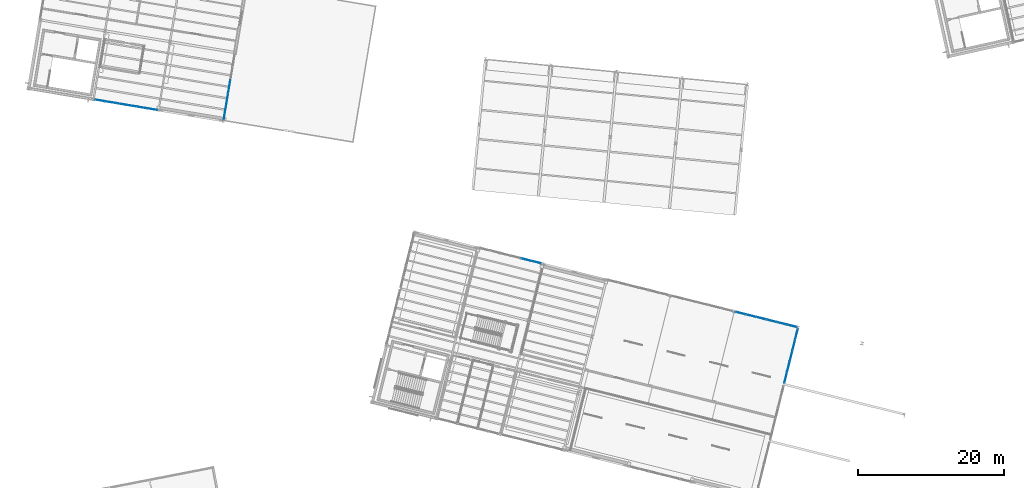
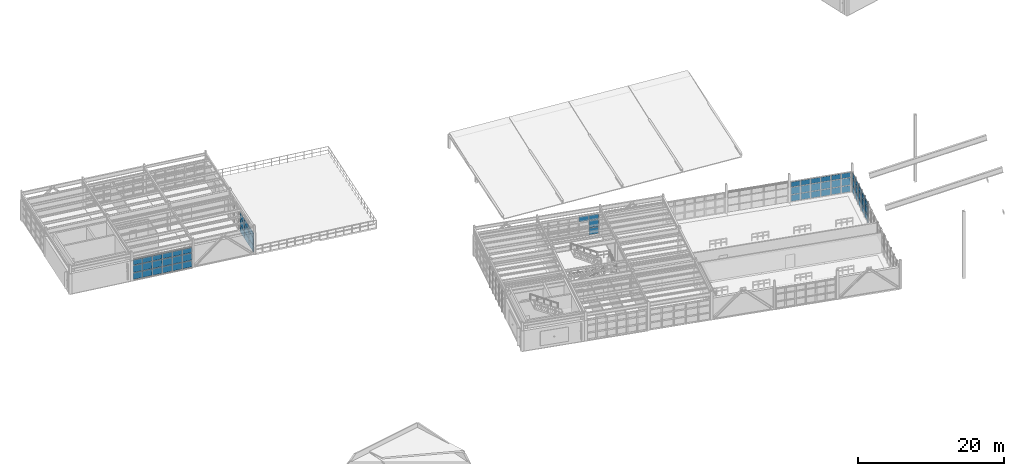
# One storey, part 36 of 59: 64 plates, 5 elements without a shape of their own.
"""IFC4 building model written with IfcOpenShell, lengths in metres."""

from ifc_helpers import new_model, si_unit, direction, frame, origin, origin_2d, place, context, subcontext, project, spatial, rectangle, extrude, material, layer, layer_set, type_object, element, aggregate, save


model = new_model("IFC4")

# Units and contexts
model_context = context("Model", 3, precision=1e-05, world=origin(), true_north=direction((0.0, 1.0)))
body_context = subcontext(model_context, "Body", "Model", "MODEL_VIEW")
ifc_project = project(units=[si_unit("LENGTHUNIT", "METRE"), si_unit("AREAUNIT", "SQUARE_METRE"), si_unit("VOLUMEUNIT", "CUBIC_METRE"), si_unit("PLANEANGLEUNIT", "RADIAN"), si_unit("MASSUNIT", "GRAM", prefix="KILO")], contexts=[model_context])

# Site, building, storey
site_placement = place(None, origin())
site = spatial("IfcSite", under=ifc_project, at=site_placement, CompositionType="ELEMENT")
building_placement = place(site_placement, origin())
building = spatial("IfcBuilding", under=site, at=building_placement, Name="Vireo Bluff Cable Station", CompositionType="ELEMENT")
storey_placement = place(building_placement, frame((0.0, 0.0, 14.39990234375)))
storey = spatial("IfcBuildingStorey", under=building, at=storey_placement, Name="L03", CompositionType="ELEMENT", Elevation=14.39990234375)

# Curtain wall, plates
ifc_material_1 = material(Name="Anodized Aluminium 6063-T6", Category="aluminium")
ifc_layer_1 = layer(ifc_material_1, 0.159912109375, Name="Anodized Aluminium 6063-T6")
ifc_layer_set_1 = layer_set([ifc_layer_1], Name="Anodized Aluminium 6063-T6")
curtain_wall_type_1 = type_object("IfcCurtainWallType", Name="CW-STICK-1750", PredefinedType="USERDEFINED", material=ifc_layer_set_1)
curtain_wall_1_placement = place(storey_placement, origin())
curtain_wall_1 = element("IfcCurtainWall", 1, at=curtain_wall_1_placement, inside=storey, type_object=curtain_wall_type_1, Name="V4 L03 east curtain wall CW-110", ObjectType="STICK CURTAIN WALL", PredefinedType="USERDEFINED")
ifc_material_2 = material(Name="Laminated Low-E Insulated Glass", Category="glass")
ifc_layer_2 = layer(ifc_material_2, 0.028076171875, Name="Laminated Low-E Insulated Glass")
ifc_layer_set_2 = layer_set([ifc_layer_2], Name="Laminated Low-E Insulated Glass")
plate_type_1 = type_object("IfcPlateType", Name="CWP-28-1", PredefinedType="CURTAIN_PANEL", material=ifc_layer_set_2)
plate_1_placement = place(storey_placement, frame((34.481689453125, 81.09814453125, 0.06005859375), z_axis=(0.0, 0.0, 1.0), x_axis=(-0.165047600369, -0.986285602456, 0.0)))
plate_1 = element("IfcPlate", 2, at=plate_1_placement, type_object=plate_type_1, Name="CW-110 panel 3.1", PredefinedType="CURTAIN_PANEL", context=body_context, shape_type="SweptSolid", body=[
    extrude(rectangle(XDim=1.77783203125, YDim=0.028076171875, at=origin_2d()), origin(), (0.0, 0.0, 1.0), 1.10009765625),
])
plate_2_placement = place(storey_placement, frame((34.481689453125, 81.09814453125, 1.22021484375), z_axis=(0.0, 0.0, 1.0), x_axis=(-0.165047600369, -0.986285602456, 0.0)))
plate_2 = element("IfcPlate", 3, at=plate_2_placement, type_object=plate_type_1, Name="CW-110 panel 3.2", PredefinedType="CURTAIN_PANEL", context=body_context, shape_type="SweptSolid", body=[
    extrude(rectangle(XDim=1.77783203125, YDim=0.028076171875, at=origin_2d()), origin(), (0.0, 0.0, 1.0), 1.197998046875),
])
plate_3_placement = place(storey_placement, frame((34.481689453125, 81.09814453125, 2.47802734375), z_axis=(0.0, 0.0, 1.0), x_axis=(-0.165047600369, -0.986285602456, 0.0)))
plate_3 = element("IfcPlate", 4, at=plate_3_placement, type_object=plate_type_1, Name="CW-110 panel 3.3", PredefinedType="CURTAIN_PANEL", context=body_context, shape_type="SweptSolid", body=[
    extrude(rectangle(XDim=1.77783203125, YDim=0.028076171875, at=origin_2d()), origin(), (0.0, 0.0, 1.0), 0.862060546875),
])
plate_4_placement = place(storey_placement, frame((34.17822265625, 79.285400390625, 0.06005859375), z_axis=(0.0, 0.0, 1.0), x_axis=(-0.165047600369, -0.986285602456, 0.0)))
plate_4 = element("IfcPlate", 5, at=plate_4_placement, type_object=plate_type_1, Name="CW-110 panel 4.1", PredefinedType="CURTAIN_PANEL", context=body_context, shape_type="SweptSolid", body=[
    extrude(rectangle(XDim=1.77783203125, YDim=0.028076171875, at=origin_2d()), origin(), (0.0, 0.0, 1.0), 1.10009765625),
])
plate_5_placement = place(storey_placement, frame((34.17822265625, 79.285400390625, 1.22021484375), z_axis=(0.0, 0.0, 1.0), x_axis=(-0.165047600369, -0.986285602456, 0.0)))
plate_5 = element("IfcPlate", 6, at=plate_5_placement, type_object=plate_type_1, Name="CW-110 panel 4.2", PredefinedType="CURTAIN_PANEL", context=body_context, shape_type="SweptSolid", body=[
    extrude(rectangle(XDim=1.77783203125, YDim=0.028076171875, at=origin_2d()), origin(), (0.0, 0.0, 1.0), 1.197998046875),
])
plate_6_placement = place(storey_placement, frame((34.17822265625, 79.285400390625, 2.47802734375), z_axis=(0.0, 0.0, 1.0), x_axis=(-0.165047600369, -0.986285602456, 0.0)))
plate_6 = element("IfcPlate", 7, at=plate_6_placement, type_object=plate_type_1, Name="CW-110 panel 4.3", PredefinedType="CURTAIN_PANEL", context=body_context, shape_type="SweptSolid", body=[
    extrude(rectangle(XDim=1.77783203125, YDim=0.028076171875, at=origin_2d()), origin(), (0.0, 0.0, 1.0), 0.862060546875),
])
plate_7_placement = place(storey_placement, frame((33.87744140625, 77.487548828125, 0.06005859375), z_axis=(0.0, 0.0, 1.0), x_axis=(-0.165047600369, -0.986285602456, 0.0)))
plate_7 = element("IfcPlate", 8, at=plate_7_placement, type_object=plate_type_1, Name="CW-110 panel 5.1", PredefinedType="CURTAIN_PANEL", context=body_context, shape_type="SweptSolid", body=[
    extrude(rectangle(XDim=1.747802734375, YDim=0.028076171875, at=origin_2d()), origin(), (0.0, 0.0, 1.0), 1.10009765625),
])
plate_8_placement = place(storey_placement, frame((33.87744140625, 77.487548828125, 1.22021484375), z_axis=(0.0, 0.0, 1.0), x_axis=(-0.165047600369, -0.986285602456, 0.0)))
plate_8 = element("IfcPlate", 9, at=plate_8_placement, type_object=plate_type_1, Name="CW-110 panel 5.2", PredefinedType="CURTAIN_PANEL", context=body_context, shape_type="SweptSolid", body=[
    extrude(rectangle(XDim=1.747802734375, YDim=0.028076171875, at=origin_2d()), origin(), (0.0, 0.0, 1.0), 1.197998046875),
])
plate_9_placement = place(storey_placement, frame((33.87744140625, 77.487548828125, 2.47802734375), z_axis=(0.0, 0.0, 1.0), x_axis=(-0.165047600369, -0.986285602456, 0.0)))
plate_9 = element("IfcPlate", 10, at=plate_9_placement, type_object=plate_type_1, Name="CW-110 panel 5.3", PredefinedType="CURTAIN_PANEL", context=body_context, shape_type="SweptSolid", body=[
    extrude(rectangle(XDim=1.747802734375, YDim=0.028076171875, at=origin_2d()), origin(), (0.0, 0.0, 1.0), 0.862060546875),
])
aggregate(curtain_wall_1, [plate_1, plate_2, plate_3, plate_4, plate_5, plate_6, plate_7, plate_8, plate_9])

ifc_layer_3 = layer(ifc_material_1, 0.179931640625, Name="Anodized Aluminium 6063-T6")
ifc_layer_set_3 = layer_set([ifc_layer_3], Name="Anodized Aluminium 6063-T6")
curtain_wall_type_2 = type_object("IfcCurtainWallType", Name="CW-UNIT-1500", PredefinedType="USERDEFINED", material=ifc_layer_set_3)
curtain_wall_2_placement = place(storey_placement, origin())
curtain_wall_2 = element("IfcCurtainWall", 11, at=curtain_wall_2_placement, inside=storey, type_object=curtain_wall_type_2, Name="V4 L03 south curtain wall CW-106", ObjectType="UNITISED CURTAIN WALL", PredefinedType="USERDEFINED")
ifc_layer_4 = layer(ifc_material_2, 0.031982421875, Name="Laminated Low-E Insulated Glass")
ifc_layer_set_4 = layer_set([ifc_layer_4], Name="Laminated Low-E Insulated Glass")
plate_type_2 = type_object("IfcPlateType", Name="CWP-32-2", PredefinedType="CURTAIN_PANEL", material=ifc_layer_set_4)
plate_10_placement = place(storey_placement, frame((23.9853515625, 78.038818359375, 0.06005859375), z_axis=(0.0, 0.0, 1.0), x_axis=(-0.986285593132, 0.165047656091, 0.0)))
plate_10 = element("IfcPlate", 12, at=plate_10_placement, type_object=plate_type_2, Name="CW-106 panel 1.1", PredefinedType="CURTAIN_PANEL", context=body_context, shape_type="SweptSolid", body=[
    extrude(rectangle(XDim=1.366943359375, YDim=0.031982421875, at=origin_2d()), origin(), (0.0, 0.0, 1.0), 1.10009765625),
])
plate_11_placement = place(storey_placement, frame((23.9853515625, 78.038818359375, 1.22021484375), z_axis=(0.0, 0.0, 1.0), x_axis=(-0.986285593132, 0.165047656091, 0.0)))
plate_11 = element("IfcPlate", 13, at=plate_11_placement, type_object=plate_type_2, Name="CW-106 panel 1.2", PredefinedType="CURTAIN_PANEL", context=body_context, shape_type="SweptSolid", body=[
    extrude(rectangle(XDim=1.366943359375, YDim=0.031982421875, at=origin_2d()), origin(), (0.0, 0.0, 1.0), 1.197998046875),
])
plate_12_placement = place(storey_placement, frame((23.9853515625, 78.038818359375, 2.47802734375), z_axis=(0.0, 0.0, 1.0), x_axis=(-0.986285593132, 0.165047656091, 0.0)))
plate_12 = element("IfcPlate", 14, at=plate_12_placement, type_object=plate_type_2, Name="CW-106 panel 1.3", PredefinedType="CURTAIN_PANEL", context=body_context, shape_type="SweptSolid", body=[
    extrude(rectangle(XDim=1.366943359375, YDim=0.031982421875, at=origin_2d()), origin(), (0.0, 0.0, 1.0), 0.862060546875),
])
plate_13_placement = place(storey_placement, frame((22.563232421875, 78.276611328125, 0.06005859375), z_axis=(0.0, 0.0, 1.0), x_axis=(-0.986285593132, 0.165047656091, 0.0)))
plate_13 = element("IfcPlate", 15, at=plate_13_placement, type_object=plate_type_2, Name="CW-106 panel 2.1", PredefinedType="CURTAIN_PANEL", context=body_context, shape_type="SweptSolid", body=[
    extrude(rectangle(XDim=1.39697265625, YDim=0.031982421875, at=origin_2d()), origin(), (0.0, 0.0, 1.0), 1.10009765625),
])
plate_14_placement = place(storey_placement, frame((22.563232421875, 78.276611328125, 1.22021484375), z_axis=(0.0, 0.0, 1.0), x_axis=(-0.986285593132, 0.165047656091, 0.0)))
plate_14 = element("IfcPlate", 16, at=plate_14_placement, type_object=plate_type_2, Name="CW-106 panel 2.2", PredefinedType="CURTAIN_PANEL", context=body_context, shape_type="SweptSolid", body=[
    extrude(rectangle(XDim=1.39697265625, YDim=0.031982421875, at=origin_2d()), origin(), (0.0, 0.0, 1.0), 1.197998046875),
])
plate_15_placement = place(storey_placement, frame((22.563232421875, 78.276611328125, 2.47802734375), z_axis=(0.0, 0.0, 1.0), x_axis=(-0.986285593132, 0.165047656091, 0.0)))
plate_15 = element("IfcPlate", 17, at=plate_15_placement, type_object=plate_type_2, Name="CW-106 panel 2.3", PredefinedType="CURTAIN_PANEL", context=body_context, shape_type="SweptSolid", body=[
    extrude(rectangle(XDim=1.39697265625, YDim=0.031982421875, at=origin_2d()), origin(), (0.0, 0.0, 1.0), 0.862060546875),
])
plate_16_placement = place(storey_placement, frame((21.126220703125, 78.51708984375, 0.06005859375), z_axis=(0.0, 0.0, 1.0), x_axis=(-0.986285593132, 0.165047656091, 0.0)))
plate_16 = element("IfcPlate", 18, at=plate_16_placement, type_object=plate_type_2, Name="CW-106 panel 3.1", PredefinedType="CURTAIN_PANEL", context=body_context, shape_type="SweptSolid", body=[
    extrude(rectangle(XDim=1.39697265625, YDim=0.031982421875, at=origin_2d()), origin(), (0.0, 0.0, 1.0), 1.10009765625),
])
plate_17_placement = place(storey_placement, frame((21.126220703125, 78.51708984375, 1.22021484375), z_axis=(0.0, 0.0, 1.0), x_axis=(-0.986285593132, 0.165047656091, 0.0)))
plate_17 = element("IfcPlate", 19, at=plate_17_placement, type_object=plate_type_2, Name="CW-106 panel 3.2", PredefinedType="CURTAIN_PANEL", context=body_context, shape_type="SweptSolid", body=[
    extrude(rectangle(XDim=1.39697265625, YDim=0.031982421875, at=origin_2d()), origin(), (0.0, 0.0, 1.0), 1.197998046875),
])
plate_18_placement = place(storey_placement, frame((21.126220703125, 78.51708984375, 2.47802734375), z_axis=(0.0, 0.0, 1.0), x_axis=(-0.986285593132, 0.165047656091, 0.0)))
plate_18 = element("IfcPlate", 20, at=plate_18_placement, type_object=plate_type_2, Name="CW-106 panel 3.3", PredefinedType="CURTAIN_PANEL", context=body_context, shape_type="SweptSolid", body=[
    extrude(rectangle(XDim=1.39697265625, YDim=0.031982421875, at=origin_2d()), origin(), (0.0, 0.0, 1.0), 0.862060546875),
])
plate_19_placement = place(storey_placement, frame((19.689208984375, 78.757568359375, 0.06005859375), z_axis=(0.0, 0.0, 1.0), x_axis=(-0.986285593132, 0.165047656091, 0.0)))
plate_19 = element("IfcPlate", 21, at=plate_19_placement, type_object=plate_type_2, Name="CW-106 panel 4.1", PredefinedType="CURTAIN_PANEL", context=body_context, shape_type="SweptSolid", body=[
    extrude(rectangle(XDim=1.39697265625, YDim=0.031982421875, at=origin_2d()), origin(), (0.0, 0.0, 1.0), 1.10009765625),
])
plate_20_placement = place(storey_placement, frame((19.689208984375, 78.757568359375, 1.22021484375), z_axis=(0.0, 0.0, 1.0), x_axis=(-0.986285593132, 0.165047656091, 0.0)))
plate_20 = element("IfcPlate", 22, at=plate_20_placement, type_object=plate_type_2, Name="CW-106 panel 4.2", PredefinedType="CURTAIN_PANEL", context=body_context, shape_type="SweptSolid", body=[
    extrude(rectangle(XDim=1.39697265625, YDim=0.031982421875, at=origin_2d()), origin(), (0.0, 0.0, 1.0), 1.197998046875),
])
plate_21_placement = place(storey_placement, frame((19.689208984375, 78.757568359375, 2.47802734375), z_axis=(0.0, 0.0, 1.0), x_axis=(-0.986285593132, 0.165047656091, 0.0)))
plate_21 = element("IfcPlate", 23, at=plate_21_placement, type_object=plate_type_2, Name="CW-106 panel 4.3", PredefinedType="CURTAIN_PANEL", context=body_context, shape_type="SweptSolid", body=[
    extrude(rectangle(XDim=1.39697265625, YDim=0.031982421875, at=origin_2d()), origin(), (0.0, 0.0, 1.0), 0.862060546875),
])
plate_22_placement = place(storey_placement, frame((18.252197265625, 78.998046875, 0.06005859375), z_axis=(0.0, 0.0, 1.0), x_axis=(-0.986285593132, 0.165047656091, 0.0)))
plate_22 = element("IfcPlate", 24, at=plate_22_placement, type_object=plate_type_2, Name="CW-106 panel 5.1", PredefinedType="CURTAIN_PANEL", context=body_context, shape_type="SweptSolid", body=[
    extrude(rectangle(XDim=1.39697265625, YDim=0.031982421875, at=origin_2d()), origin(), (0.0, 0.0, 1.0), 1.10009765625),
])
plate_23_placement = place(storey_placement, frame((18.252197265625, 78.998046875, 1.22021484375), z_axis=(0.0, 0.0, 1.0), x_axis=(-0.986285593132, 0.165047656091, 0.0)))
plate_23 = element("IfcPlate", 25, at=plate_23_placement, type_object=plate_type_2, Name="CW-106 panel 5.2", PredefinedType="CURTAIN_PANEL", context=body_context, shape_type="SweptSolid", body=[
    extrude(rectangle(XDim=1.39697265625, YDim=0.031982421875, at=origin_2d()), origin(), (0.0, 0.0, 1.0), 1.197998046875),
])
plate_24_placement = place(storey_placement, frame((18.252197265625, 78.998046875, 2.47802734375), z_axis=(0.0, 0.0, 1.0), x_axis=(-0.986285593132, 0.165047656091, 0.0)))
plate_24 = element("IfcPlate", 26, at=plate_24_placement, type_object=plate_type_2, Name="CW-106 panel 5.3", PredefinedType="CURTAIN_PANEL", context=body_context, shape_type="SweptSolid", body=[
    extrude(rectangle(XDim=1.39697265625, YDim=0.031982421875, at=origin_2d()), origin(), (0.0, 0.0, 1.0), 0.862060546875),
])
plate_25_placement = place(storey_placement, frame((16.830078125, 79.236083984375, 0.06005859375), z_axis=(0.0, 0.0, 1.0), x_axis=(-0.986285593132, 0.165047656091, 0.0)))
plate_25 = element("IfcPlate", 27, at=plate_25_placement, type_object=plate_type_2, Name="CW-106 panel 6.1", PredefinedType="CURTAIN_PANEL", context=body_context, shape_type="SweptSolid", body=[
    extrude(rectangle(XDim=1.366943359375, YDim=0.031982421875, at=origin_2d()), origin(), (0.0, 0.0, 1.0), 1.10009765625),
])
plate_26_placement = place(storey_placement, frame((16.830078125, 79.236083984375, 1.22021484375), z_axis=(0.0, 0.0, 1.0), x_axis=(-0.986285593132, 0.165047656091, 0.0)))
plate_26 = element("IfcPlate", 28, at=plate_26_placement, type_object=plate_type_2, Name="CW-106 panel 6.2", PredefinedType="CURTAIN_PANEL", context=body_context, shape_type="SweptSolid", body=[
    extrude(rectangle(XDim=1.366943359375, YDim=0.031982421875, at=origin_2d()), origin(), (0.0, 0.0, 1.0), 1.197998046875),
])
plate_27_placement = place(storey_placement, frame((16.830078125, 79.236083984375, 2.47802734375), z_axis=(0.0, 0.0, 1.0), x_axis=(-0.986285593132, 0.165047656091, 0.0)))
plate_27 = element("IfcPlate", 29, at=plate_27_placement, type_object=plate_type_2, Name="CW-106 panel 6.3", PredefinedType="CURTAIN_PANEL", context=body_context, shape_type="SweptSolid", body=[
    extrude(rectangle(XDim=1.366943359375, YDim=0.031982421875, at=origin_2d()), origin(), (0.0, 0.0, 1.0), 0.862060546875),
])
aggregate(curtain_wall_2, [plate_10, plate_11, plate_12, plate_13, plate_14, plate_15, plate_16, plate_17, plate_18, plate_19, plate_20, plate_21, plate_22, plate_23, plate_24, plate_25, plate_26, plate_27])

ifc_layer_5 = layer(ifc_material_1, 0.179931640625, Name="Anodized Aluminium 6063-T6")
ifc_layer_set_5 = layer_set([ifc_layer_5], Name="Anodized Aluminium 6063-T6")
curtain_wall_type_3 = type_object("IfcCurtainWallType", Name="CW-UNIT-1400", PredefinedType="USERDEFINED", material=ifc_layer_set_5)
curtain_wall_3_placement = place(storey_placement, origin())
curtain_wall_3 = element("IfcCurtainWall", 30, at=curtain_wall_3_placement, inside=storey, type_object=curtain_wall_type_3, Name="V1 L03 north curtain wall CW-027", ObjectType="UNITISED CURTAIN WALL", PredefinedType="USERDEFINED")
ifc_layer_6 = layer(ifc_material_2, 0.035888671875, Name="Laminated Low-E Insulated Glass")
ifc_layer_set_6 = layer_set([ifc_layer_6], Name="Laminated Low-E Insulated Glass")
plate_type_3 = type_object("IfcPlateType", Name="CWP-36-3", PredefinedType="CURTAIN_PANEL", material=ifc_layer_set_6)
plate_28_placement = place(storey_placement, frame((104.341552734375, 50.18310546875, 0.080078125), z_axis=(0.0, 0.0, 1.0), x_axis=(0.970295730477, -0.241921878749, 0.0)))
plate_28 = element("IfcPlate", 31, at=plate_28_placement, type_object=plate_type_3, Name="CW-027 panel 1.1", PredefinedType="CURTAIN_PANEL", context=body_context, shape_type="SweptSolid", body=[
    extrude(rectangle(XDim=1.32861328125, YDim=0.035888671875, at=origin_2d()), origin(), (0.0, 0.0, 1.0), 1.070068359375),
])
plate_29_placement = place(storey_placement, frame((104.341552734375, 50.18310546875, 1.22998046875), z_axis=(0.0, 0.0, 1.0), x_axis=(0.970295730477, -0.241921878749, 0.0)))
plate_29 = element("IfcPlate", 32, at=plate_29_placement, type_object=plate_type_3, Name="CW-027 panel 1.2", PredefinedType="CURTAIN_PANEL", context=body_context, shape_type="SweptSolid", body=[
    extrude(rectangle(XDim=1.32861328125, YDim=0.035888671875, at=origin_2d()), origin(), (0.0, 0.0, 1.0), 1.177978515625),
])
plate_30_placement = place(storey_placement, frame((104.341552734375, 50.18310546875, 2.488037109375), z_axis=(0.0, 0.0, 1.0), x_axis=(0.970295730477, -0.241921878749, 0.0)))
plate_30 = element("IfcPlate", 33, at=plate_30_placement, type_object=plate_type_3, Name="CW-027 panel 1.3", PredefinedType="CURTAIN_PANEL", context=body_context, shape_type="SweptSolid", body=[
    extrude(rectangle(XDim=1.32861328125, YDim=0.035888671875, at=origin_2d()), origin(), (0.0, 0.0, 1.0), 0.83203125),
])
plate_31_placement = place(storey_placement, frame((105.7275390625, 49.837646484375, 0.080078125), z_axis=(0.0, 0.0, 1.0), x_axis=(0.970295730477, -0.241921878749, 0.0)))
plate_31 = element("IfcPlate", 34, at=plate_31_placement, type_object=plate_type_3, Name="CW-027 panel 2.1", PredefinedType="CURTAIN_PANEL", context=body_context, shape_type="SweptSolid", body=[
    extrude(rectangle(XDim=1.368408203125, YDim=0.035888671875, at=origin_2d()), origin(), (0.0, 0.0, 1.0), 1.070068359375),
])
plate_32_placement = place(storey_placement, frame((105.7275390625, 49.837646484375, 1.22998046875), z_axis=(0.0, 0.0, 1.0), x_axis=(0.970295730477, -0.241921878749, 0.0)))
plate_32 = element("IfcPlate", 35, at=plate_32_placement, type_object=plate_type_3, Name="CW-027 panel 2.2", PredefinedType="CURTAIN_PANEL", context=body_context, shape_type="SweptSolid", body=[
    extrude(rectangle(XDim=1.368408203125, YDim=0.035888671875, at=origin_2d()), origin(), (0.0, 0.0, 1.0), 1.177978515625),
])
plate_33_placement = place(storey_placement, frame((105.7275390625, 49.837646484375, 2.488037109375), z_axis=(0.0, 0.0, 1.0), x_axis=(0.970295730477, -0.241921878749, 0.0)))
plate_33 = element("IfcPlate", 36, at=plate_33_placement, type_object=plate_type_3, Name="CW-027 panel 2.3", PredefinedType="CURTAIN_PANEL", context=body_context, shape_type="SweptSolid", body=[
    extrude(rectangle(XDim=1.368408203125, YDim=0.035888671875, at=origin_2d()), origin(), (0.0, 0.0, 1.0), 0.83203125),
])
plate_34_placement = place(storey_placement, frame((107.133056640625, 49.487060546875, 0.080078125), z_axis=(0.0, 0.0, 1.0), x_axis=(0.970295730477, -0.241921878749, 0.0)))
plate_34 = element("IfcPlate", 37, at=plate_34_placement, type_object=plate_type_3, Name="CW-027 panel 3.1", PredefinedType="CURTAIN_PANEL", context=body_context, shape_type="SweptSolid", body=[
    extrude(rectangle(XDim=1.368408203125, YDim=0.035888671875, at=origin_2d()), origin(), (0.0, 0.0, 1.0), 1.070068359375),
])
plate_35_placement = place(storey_placement, frame((107.133056640625, 49.487060546875, 1.22998046875), z_axis=(0.0, 0.0, 1.0), x_axis=(0.970295730477, -0.241921878749, 0.0)))
plate_35 = element("IfcPlate", 38, at=plate_35_placement, type_object=plate_type_3, Name="CW-027 panel 3.2", PredefinedType="CURTAIN_PANEL", context=body_context, shape_type="SweptSolid", body=[
    extrude(rectangle(XDim=1.368408203125, YDim=0.035888671875, at=origin_2d()), origin(), (0.0, 0.0, 1.0), 1.177978515625),
])
plate_36_placement = place(storey_placement, frame((107.133056640625, 49.487060546875, 2.488037109375), z_axis=(0.0, 0.0, 1.0), x_axis=(0.970295730477, -0.241921878749, 0.0)))
plate_36 = element("IfcPlate", 39, at=plate_36_placement, type_object=plate_type_3, Name="CW-027 panel 3.3", PredefinedType="CURTAIN_PANEL", context=body_context, shape_type="SweptSolid", body=[
    extrude(rectangle(XDim=1.368408203125, YDim=0.035888671875, at=origin_2d()), origin(), (0.0, 0.0, 1.0), 0.83203125),
])
plate_37_placement = place(storey_placement, frame((108.53857421875, 49.13671875, 0.080078125), z_axis=(0.0, 0.0, 1.0), x_axis=(0.970295730477, -0.241921878749, 0.0)))
plate_37 = element("IfcPlate", 40, at=plate_37_placement, type_object=plate_type_3, Name="CW-027 panel 4.1", PredefinedType="CURTAIN_PANEL", context=body_context, shape_type="SweptSolid", body=[
    extrude(rectangle(XDim=1.368408203125, YDim=0.035888671875, at=origin_2d()), origin(), (0.0, 0.0, 1.0), 1.070068359375),
])
plate_38_placement = place(storey_placement, frame((108.53857421875, 49.13671875, 1.22998046875), z_axis=(0.0, 0.0, 1.0), x_axis=(0.970295730477, -0.241921878749, 0.0)))
plate_38 = element("IfcPlate", 41, at=plate_38_placement, type_object=plate_type_3, Name="CW-027 panel 4.2", PredefinedType="CURTAIN_PANEL", context=body_context, shape_type="SweptSolid", body=[
    extrude(rectangle(XDim=1.368408203125, YDim=0.035888671875, at=origin_2d()), origin(), (0.0, 0.0, 1.0), 1.177978515625),
])
plate_39_placement = place(storey_placement, frame((108.53857421875, 49.13671875, 2.488037109375), z_axis=(0.0, 0.0, 1.0), x_axis=(0.970295730477, -0.241921878749, 0.0)))
plate_39 = element("IfcPlate", 42, at=plate_39_placement, type_object=plate_type_3, Name="CW-027 panel 4.3", PredefinedType="CURTAIN_PANEL", context=body_context, shape_type="SweptSolid", body=[
    extrude(rectangle(XDim=1.368408203125, YDim=0.035888671875, at=origin_2d()), origin(), (0.0, 0.0, 1.0), 0.83203125),
])
plate_40_placement = place(storey_placement, frame((109.944091796875, 48.786376953125, 0.080078125), z_axis=(0.0, 0.0, 1.0), x_axis=(0.970295730477, -0.241921878749, 0.0)))
plate_40 = element("IfcPlate", 43, at=plate_40_placement, type_object=plate_type_3, Name="CW-027 panel 5.1", PredefinedType="CURTAIN_PANEL", context=body_context, shape_type="SweptSolid", body=[
    extrude(rectangle(XDim=1.368408203125, YDim=0.035888671875, at=origin_2d()), origin(), (0.0, 0.0, 1.0), 1.070068359375),
])
plate_41_placement = place(storey_placement, frame((109.944091796875, 48.786376953125, 1.22998046875), z_axis=(0.0, 0.0, 1.0), x_axis=(0.970295730477, -0.241921878749, 0.0)))
plate_41 = element("IfcPlate", 44, at=plate_41_placement, type_object=plate_type_3, Name="CW-027 panel 5.2", PredefinedType="CURTAIN_PANEL", context=body_context, shape_type="SweptSolid", body=[
    extrude(rectangle(XDim=1.368408203125, YDim=0.035888671875, at=origin_2d()), origin(), (0.0, 0.0, 1.0), 1.177978515625),
])
plate_42_placement = place(storey_placement, frame((109.944091796875, 48.786376953125, 2.488037109375), z_axis=(0.0, 0.0, 1.0), x_axis=(0.970295730477, -0.241921878749, 0.0)))
plate_42 = element("IfcPlate", 45, at=plate_42_placement, type_object=plate_type_3, Name="CW-027 panel 5.3", PredefinedType="CURTAIN_PANEL", context=body_context, shape_type="SweptSolid", body=[
    extrude(rectangle(XDim=1.368408203125, YDim=0.035888671875, at=origin_2d()), origin(), (0.0, 0.0, 1.0), 0.83203125),
])
plate_43_placement = place(storey_placement, frame((111.330078125, 48.440673828125, 0.080078125), z_axis=(0.0, 0.0, 1.0), x_axis=(0.970295730477, -0.241921878749, 0.0)))
plate_43 = element("IfcPlate", 46, at=plate_43_placement, type_object=plate_type_3, Name="CW-027 panel 6.1", PredefinedType="CURTAIN_PANEL", context=body_context, shape_type="SweptSolid", body=[
    extrude(rectangle(XDim=1.32861328125, YDim=0.035888671875, at=origin_2d()), origin(), (0.0, 0.0, 1.0), 1.070068359375),
])
plate_44_placement = place(storey_placement, frame((111.330078125, 48.440673828125, 1.22998046875), z_axis=(0.0, 0.0, 1.0), x_axis=(0.970295730477, -0.241921878749, 0.0)))
plate_44 = element("IfcPlate", 47, at=plate_44_placement, type_object=plate_type_3, Name="CW-027 panel 6.2", PredefinedType="CURTAIN_PANEL", context=body_context, shape_type="SweptSolid", body=[
    extrude(rectangle(XDim=1.32861328125, YDim=0.035888671875, at=origin_2d()), origin(), (0.0, 0.0, 1.0), 1.177978515625),
])
plate_45_placement = place(storey_placement, frame((111.330078125, 48.440673828125, 2.488037109375), z_axis=(0.0, 0.0, 1.0), x_axis=(0.970295730477, -0.241921878749, 0.0)))
plate_45 = element("IfcPlate", 48, at=plate_45_placement, type_object=plate_type_3, Name="CW-027 panel 6.3", PredefinedType="CURTAIN_PANEL", context=body_context, shape_type="SweptSolid", body=[
    extrude(rectangle(XDim=1.32861328125, YDim=0.035888671875, at=origin_2d()), origin(), (0.0, 0.0, 1.0), 0.83203125),
])
aggregate(curtain_wall_3, [plate_28, plate_29, plate_30, plate_31, plate_32, plate_33, plate_34, plate_35, plate_36, plate_37, plate_38, plate_39, plate_40, plate_41, plate_42, plate_43, plate_44, plate_45])

curtain_wall_4_placement = place(storey_placement, origin())
curtain_wall_4 = element("IfcCurtainWall", 49, at=curtain_wall_4_placement, inside=storey, type_object=curtain_wall_type_2, Name="V1 L03 east curtain wall CW-028", ObjectType="UNITISED CURTAIN WALL", PredefinedType="USERDEFINED")
ifc_material_3 = material(Name="Insulated Spandrel Glass Panel", Category="glass")
ifc_layer_7 = layer(ifc_material_3, 0.0419921875, Name="Insulated Spandrel Glass Panel")
ifc_layer_set_7 = layer_set([ifc_layer_7], Name="Insulated Spandrel Glass Panel")
plate_type_4 = type_object("IfcPlateType", Name="CWP-42-4", PredefinedType="CURTAIN_PANEL", material=ifc_layer_set_7)
plate_46_placement = place(storey_placement, frame((111.97509765625, 47.313232421875, 0.06494140625), z_axis=(0.0, 0.0, 1.0), x_axis=(-0.241921954042, -0.970295711705, 0.0)))
plate_46 = element("IfcPlate", 50, at=plate_46_placement, type_object=plate_type_4, Name="CW-028 panel 1.1", PredefinedType="CURTAIN_PANEL", context=body_context, shape_type="SweptSolid", body=[
    extrude(rectangle(XDim=1.43505859375, YDim=0.0419921875, at=origin_2d()), origin(), (0.0, 0.0, 1.0), 1.092529296875),
])
plate_47_placement = place(storey_placement, frame((111.97509765625, 47.313232421875, 1.22265625), z_axis=(0.0, 0.0, 1.0), x_axis=(-0.241921954042, -0.970295711705, 0.0)))
plate_47 = element("IfcPlate", 51, at=plate_47_placement, type_object=plate_type_4, Name="CW-028 panel 1.2", PredefinedType="CURTAIN_PANEL", context=body_context, shape_type="SweptSolid", body=[
    extrude(rectangle(XDim=1.43505859375, YDim=0.0419921875, at=origin_2d()), origin(), (0.0, 0.0, 1.0), 1.193115234375),
])
plate_48_placement = place(storey_placement, frame((111.97509765625, 47.313232421875, 2.480712890625), z_axis=(0.0, 0.0, 1.0), x_axis=(-0.241921954042, -0.970295711705, 0.0)))
plate_48 = element("IfcPlate", 52, at=plate_48_placement, type_object=plate_type_4, Name="CW-028 panel 1.3", PredefinedType="CURTAIN_PANEL", context=body_context, shape_type="SweptSolid", body=[
    extrude(rectangle(XDim=1.43505859375, YDim=0.0419921875, at=origin_2d()), origin(), (0.0, 0.0, 1.0), 0.8544921875),
])
plate_49_placement = place(storey_placement, frame((111.6083984375, 45.842041015625, 0.06494140625), z_axis=(0.0, 0.0, 1.0), x_axis=(-0.241921954042, -0.970295711705, 0.0)))
plate_49 = element("IfcPlate", 53, at=plate_49_placement, type_object=plate_type_4, Name="CW-028 panel 2.1", PredefinedType="CURTAIN_PANEL", context=body_context, shape_type="SweptSolid", body=[
    extrude(rectangle(XDim=1.467529296875, YDim=0.0419921875, at=origin_2d()), origin(), (0.0, 0.0, 1.0), 1.092529296875),
])
plate_50_placement = place(storey_placement, frame((111.6083984375, 45.842041015625, 1.22265625), z_axis=(0.0, 0.0, 1.0), x_axis=(-0.241921954042, -0.970295711705, 0.0)))
plate_50 = element("IfcPlate", 54, at=plate_50_placement, type_object=plate_type_4, Name="CW-028 panel 2.2", PredefinedType="CURTAIN_PANEL", context=body_context, shape_type="SweptSolid", body=[
    extrude(rectangle(XDim=1.467529296875, YDim=0.0419921875, at=origin_2d()), origin(), (0.0, 0.0, 1.0), 1.193115234375),
])
plate_51_placement = place(storey_placement, frame((111.6083984375, 45.842041015625, 2.480712890625), z_axis=(0.0, 0.0, 1.0), x_axis=(-0.241921954042, -0.970295711705, 0.0)))
plate_51 = element("IfcPlate", 55, at=plate_51_placement, type_object=plate_type_4, Name="CW-028 panel 2.3", PredefinedType="CURTAIN_PANEL", context=body_context, shape_type="SweptSolid", body=[
    extrude(rectangle(XDim=1.467529296875, YDim=0.0419921875, at=origin_2d()), origin(), (0.0, 0.0, 1.0), 0.8544921875),
])
plate_52_placement = place(storey_placement, frame((111.237548828125, 44.35498046875, 0.06494140625), z_axis=(0.0, 0.0, 1.0), x_axis=(-0.241921954042, -0.970295711705, 0.0)))
plate_52 = element("IfcPlate", 56, at=plate_52_placement, type_object=plate_type_4, Name="CW-028 panel 3.1", PredefinedType="CURTAIN_PANEL", context=body_context, shape_type="SweptSolid", body=[
    extrude(rectangle(XDim=1.467529296875, YDim=0.0419921875, at=origin_2d()), origin(), (0.0, 0.0, 1.0), 1.092529296875),
])
plate_53_placement = place(storey_placement, frame((111.237548828125, 44.35498046875, 1.22265625), z_axis=(0.0, 0.0, 1.0), x_axis=(-0.241921954042, -0.970295711705, 0.0)))
plate_53 = element("IfcPlate", 57, at=plate_53_placement, type_object=plate_type_4, Name="CW-028 panel 3.2", PredefinedType="CURTAIN_PANEL", context=body_context, shape_type="SweptSolid", body=[
    extrude(rectangle(XDim=1.467529296875, YDim=0.0419921875, at=origin_2d()), origin(), (0.0, 0.0, 1.0), 1.193115234375),
])
plate_54_placement = place(storey_placement, frame((111.237548828125, 44.35498046875, 2.480712890625), z_axis=(0.0, 0.0, 1.0), x_axis=(-0.241921954042, -0.970295711705, 0.0)))
plate_54 = element("IfcPlate", 58, at=plate_54_placement, type_object=plate_type_4, Name="CW-028 panel 3.3", PredefinedType="CURTAIN_PANEL", context=body_context, shape_type="SweptSolid", body=[
    extrude(rectangle(XDim=1.467529296875, YDim=0.0419921875, at=origin_2d()), origin(), (0.0, 0.0, 1.0), 0.8544921875),
])
plate_55_placement = place(storey_placement, frame((110.866943359375, 42.867919921875, 0.06494140625), z_axis=(0.0, 0.0, 1.0), x_axis=(-0.241921954042, -0.970295711705, 0.0)))
plate_55 = element("IfcPlate", 59, at=plate_55_placement, type_object=plate_type_4, Name="CW-028 panel 4.1", PredefinedType="CURTAIN_PANEL", context=body_context, shape_type="SweptSolid", body=[
    extrude(rectangle(XDim=1.467529296875, YDim=0.0419921875, at=origin_2d()), origin(), (0.0, 0.0, 1.0), 1.092529296875),
])
plate_56_placement = place(storey_placement, frame((110.866943359375, 42.867919921875, 1.22265625), z_axis=(0.0, 0.0, 1.0), x_axis=(-0.241921954042, -0.970295711705, 0.0)))
plate_56 = element("IfcPlate", 60, at=plate_56_placement, type_object=plate_type_4, Name="CW-028 panel 4.2", PredefinedType="CURTAIN_PANEL", context=body_context, shape_type="SweptSolid", body=[
    extrude(rectangle(XDim=1.467529296875, YDim=0.0419921875, at=origin_2d()), origin(), (0.0, 0.0, 1.0), 1.193115234375),
])
plate_57_placement = place(storey_placement, frame((110.866943359375, 42.867919921875, 2.480712890625), z_axis=(0.0, 0.0, 1.0), x_axis=(-0.241921954042, -0.970295711705, 0.0)))
plate_57 = element("IfcPlate", 61, at=plate_57_placement, type_object=plate_type_4, Name="CW-028 panel 4.3", PredefinedType="CURTAIN_PANEL", context=body_context, shape_type="SweptSolid", body=[
    extrude(rectangle(XDim=1.467529296875, YDim=0.0419921875, at=origin_2d()), origin(), (0.0, 0.0, 1.0), 0.8544921875),
])
plate_58_placement = place(storey_placement, frame((110.5, 41.396728515625, 0.06494140625), z_axis=(0.0, 0.0, 1.0), x_axis=(-0.241921954042, -0.970295711705, 0.0)))
plate_58 = element("IfcPlate", 62, at=plate_58_placement, type_object=plate_type_4, Name="CW-028 panel 5.1", PredefinedType="CURTAIN_PANEL", context=body_context, shape_type="SweptSolid", body=[
    extrude(rectangle(XDim=1.43505859375, YDim=0.0419921875, at=origin_2d()), origin(), (0.0, 0.0, 1.0), 1.092529296875),
])
plate_59_placement = place(storey_placement, frame((110.5, 41.396728515625, 1.22265625), z_axis=(0.0, 0.0, 1.0), x_axis=(-0.241921954042, -0.970295711705, 0.0)))
plate_59 = element("IfcPlate", 63, at=plate_59_placement, type_object=plate_type_4, Name="CW-028 panel 5.2", PredefinedType="CURTAIN_PANEL", context=body_context, shape_type="SweptSolid", body=[
    extrude(rectangle(XDim=1.43505859375, YDim=0.0419921875, at=origin_2d()), origin(), (0.0, 0.0, 1.0), 1.193115234375),
])
plate_60_placement = place(storey_placement, frame((110.5, 41.396728515625, 2.480712890625), z_axis=(0.0, 0.0, 1.0), x_axis=(-0.241921954042, -0.970295711705, 0.0)))
plate_60 = element("IfcPlate", 64, at=plate_60_placement, type_object=plate_type_4, Name="CW-028 panel 5.3", PredefinedType="CURTAIN_PANEL", context=body_context, shape_type="SweptSolid", body=[
    extrude(rectangle(XDim=1.43505859375, YDim=0.0419921875, at=origin_2d()), origin(), (0.0, 0.0, 1.0), 0.8544921875),
])
aggregate(curtain_wall_4, [plate_46, plate_47, plate_48, plate_49, plate_50, plate_51, plate_52, plate_53, plate_54, plate_55, plate_56, plate_57, plate_58, plate_59, plate_60])

curtain_wall_5_placement = place(storey_placement, origin())
curtain_wall_5 = element("IfcCurtainWall", 65, at=curtain_wall_5_placement, inside=storey, type_object=curtain_wall_type_3, Name="V1 L03 north curtain wall CW-024", ObjectType="UNITISED CURTAIN WALL", PredefinedType="USERDEFINED")
ifc_layer_8 = layer(ifc_material_3, 0.048095703125, Name="Insulated Spandrel Glass Panel")
ifc_layer_set_8 = layer_set([ifc_layer_8], Name="Insulated Spandrel Glass Panel")
plate_type_5 = type_object("IfcPlateType", Name="CWP-48-5", PredefinedType="CURTAIN_PANEL", material=ifc_layer_set_8)
plate_61_placement = place(storey_placement, frame((75.013427734375, 57.49560546875, 2.480712890625), z_axis=(0.0, 0.0, 1.0), x_axis=(0.970295730477, -0.241921878749, 0.0)))
plate_61 = element("IfcPlate", 66, at=plate_61_placement, type_object=plate_type_5, Name="CW-024 panel 5.3", PredefinedType="CURTAIN_PANEL", context=body_context, shape_type="SweptSolid", body=[
    extrude(rectangle(XDim=1.383544921875, YDim=0.048095703125, at=origin_2d()), origin(), (0.0, 0.0, 1.0), 0.8544921875),
])
plate_62_placement = place(storey_placement, frame((76.403076171875, 57.14892578125, 0.06494140625), z_axis=(0.0, 0.0, 1.0), x_axis=(0.970295730477, -0.241921878749, 0.0)))
plate_62 = element("IfcPlate", 67, at=plate_62_placement, type_object=plate_type_5, Name="CW-024 panel 6.1", PredefinedType="CURTAIN_PANEL", context=body_context, shape_type="SweptSolid", body=[
    extrude(rectangle(XDim=1.35107421875, YDim=0.048095703125, at=origin_2d()), origin(), (0.0, 0.0, 1.0), 1.092529296875),
])
plate_63_placement = place(storey_placement, frame((76.403076171875, 57.14892578125, 1.22265625), z_axis=(0.0, 0.0, 1.0), x_axis=(0.970295730477, -0.241921878749, 0.0)))
plate_63 = element("IfcPlate", 68, at=plate_63_placement, type_object=plate_type_5, Name="CW-024 panel 6.2", PredefinedType="CURTAIN_PANEL", context=body_context, shape_type="SweptSolid", body=[
    extrude(rectangle(XDim=1.35107421875, YDim=0.048095703125, at=origin_2d()), origin(), (0.0, 0.0, 1.0), 1.193115234375),
])
plate_64_placement = place(storey_placement, frame((76.403076171875, 57.14892578125, 2.480712890625), z_axis=(0.0, 0.0, 1.0), x_axis=(0.970295730477, -0.241921878749, 0.0)))
plate_64 = element("IfcPlate", 69, at=plate_64_placement, type_object=plate_type_5, Name="CW-024 panel 6.3", PredefinedType="CURTAIN_PANEL", context=body_context, shape_type="SweptSolid", body=[
    extrude(rectangle(XDim=1.35107421875, YDim=0.048095703125, at=origin_2d()), origin(), (0.0, 0.0, 1.0), 0.8544921875),
])
aggregate(curtain_wall_5, [plate_61, plate_62, plate_63, plate_64])

save(model, "model.ifc")
